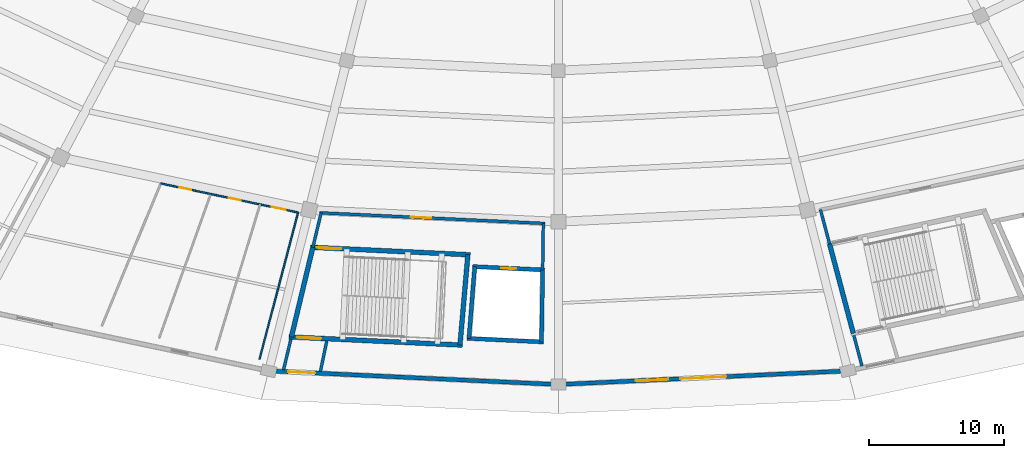
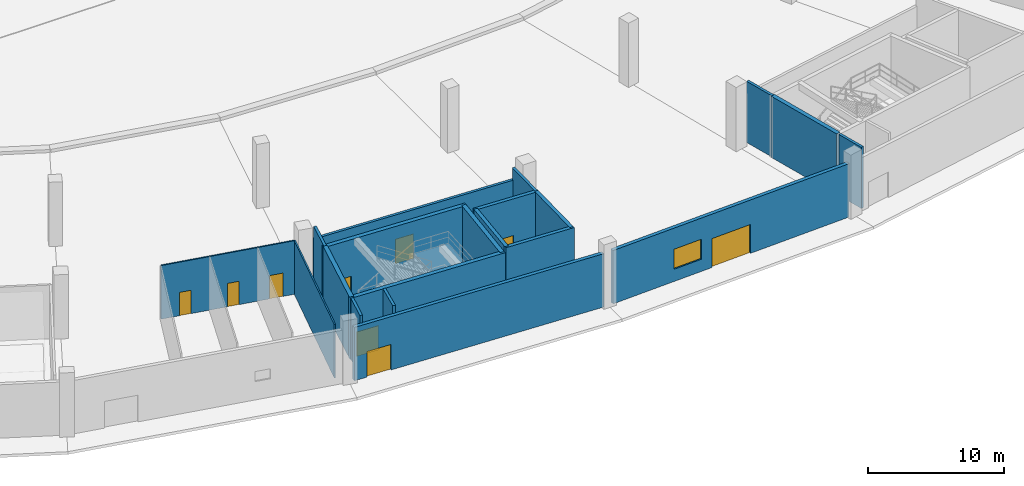
# One storey, part 11 of 48: 20 walls, 9 doors, 1 window, 10 openings.
"""IFC4 building model written with IfcOpenShell, lengths in metres."""

from ifc_helpers import new_model, si_unit, direction, frame, frame_2d, origin, place, context, subcontext, project, spatial, rectangle, extrude, material, layer, layer_set, type_object, element, fill, save


model = new_model("IFC4")

# Units and contexts
model_context = context("Model", 3, precision=1e-05, world=origin(), true_north=direction((0.0, 1.0)))
body_context = subcontext(model_context, "Body", "Model", "MODEL_VIEW")
ifc_project = project(units=[si_unit("LENGTHUNIT", "METRE"), si_unit("AREAUNIT", "SQUARE_METRE"), si_unit("VOLUMEUNIT", "CUBIC_METRE"), si_unit("PLANEANGLEUNIT", "RADIAN"), si_unit("MASSUNIT", "GRAM", prefix="KILO")], contexts=[model_context])

# Site, building, storey
site_placement = place(None, origin())
site = spatial("IfcSite", under=ifc_project, at=site_placement, CompositionType="ELEMENT")
building_placement = place(site_placement, origin())
building = spatial("IfcBuilding", under=site, at=building_placement, Name="Kazemori Nagisa Stadium", CompositionType="ELEMENT")
storey_placement = place(building_placement, origin())
storey = spatial("IfcBuildingStorey", under=building, at=storey_placement, Name="L00", CompositionType="ELEMENT", Elevation=0.0)

# Wall, opening, door
ifc_material_1 = material(Name="Concrete C40/50 (Fc42)", Category="concrete")
ifc_layer_1 = layer(ifc_material_1, 0.35009765625, Name="Concrete C40/50 (Fc42)", Category="concrete")
ifc_layer_set_1 = layer_set([ifc_layer_1], Name="Concrete C40/50 (Fc42)")
wall_type_1 = type_object("IfcWallType", Name="Wall_W-CORE-350", PredefinedType="SHEAR", material=ifc_layer_set_1)
wall_1_placement = place(storey_placement, frame((104.66748046875, 26.15478515625, 0.0), z_axis=(0.0, 0.0, 1.0), x_axis=(0.998883770468, -0.04723571843, 0.0)))
wall_1 = element("IfcWall", 1, at=wall_1_placement, inside=storey, type_object=wall_type_1, Name="Core stair front shear wall ST12 L00", PredefinedType="SHEAR", context=body_context, shape_type="SweptSolid", body=[
    extrude(rectangle(XDim=11.830810546875, YDim=0.35009765625, at=frame_2d((5.91552734375, 0.0))), origin(), (0.0, 0.0, 1.0), 5.5),
])
opening_1_placement = place(wall_1_placement, frame((0.47509765625, 0.0, 0.0)))
opening_1 = element("IfcOpeningElement", 2, at=opening_1_placement, cuts=wall_1, Name="Opening D-ST-1800", PredefinedType="OPENING", context=body_context, shape_type="SweptSolid", body=[
    extrude(rectangle(XDim=1.800048828125, YDim=2.199951171875, at=frame_2d((0.89990234375, 1.10009765625))), frame((0.0, 0.18505859375, 0.0), z_axis=(0.0, -1.0, 0.0), x_axis=(1.0, 0.0, 0.0)), (0.0, 0.0, 1.0), 0.3701171875),
])
ifc_material_2 = material(Name="Galvanised steel sheet", Category="steel")
door_type_1 = type_object("IfcDoorType", Name="Door_D-ST-1800", OperationType="NOTDEFINED", PredefinedType="DOOR", material=ifc_material_2)
door_1_placement = place(opening_1_placement, origin())
door_1 = element("IfcDoor", 3, at=door_1_placement, inside=storey, type_object=door_type_1, Name="Exit stair fire door ST12-L00", OperationType="SINGLE_SWING_LEFT", OverallHeight=2.199951171875, OverallWidth=1.800048828125, PredefinedType="DOOR", context=body_context, shape_type="SweptSolid", body=[
    extrude(rectangle(XDim=1.800048828125, YDim=2.199951171875, at=frame_2d((0.89990234375, 1.10009765625))), frame((0.0, 0.02490234375, 0.0), z_axis=(0.0, -1.0, 0.0), x_axis=(1.0, 0.0, 0.0)), (0.0, 0.0, 1.0), 0.050048828125),
])
fill(opening_1, door_1)

wall_2_placement = place(storey_placement, frame((103.07958984375, 19.52197265625, 0.0), z_axis=(0.0, 0.0, 1.0), x_axis=(0.998884004857, -0.047230761603, 0.0)))
wall_2 = element("IfcWall", 4, at=wall_2_placement, inside=storey, type_object=wall_type_1, Name="Core stair rear shear wall ST12 L00", PredefinedType="SHEAR", context=body_context, shape_type="SweptSolid", body=[
    extrude(rectangle(XDim=12.8349609375, YDim=0.35009765625, at=frame_2d((6.41748046875, 0.0))), origin(), (0.0, 0.0, 1.0), 5.5),
])
opening_2_placement = place(wall_2_placement, frame((0.60107421875, 0.0, 0.0)))
opening_2 = element("IfcOpeningElement", 5, at=opening_2_placement, cuts=wall_2, Name="Opening D-ST-1800", PredefinedType="OPENING", context=body_context, shape_type="SweptSolid", body=[
    extrude(rectangle(XDim=1.800048828125, YDim=2.199951171875, at=frame_2d((0.89990234375, 1.10009765625))), frame((0.0, 0.18505859375, 0.0), z_axis=(0.0, -1.0, 0.0), x_axis=(1.0, 0.0, 0.0)), (0.0, 0.0, 1.0), 0.3701171875),
])
door_2_placement = place(opening_2_placement, frame((1.800048828125, 0.0, 0.0), z_axis=(0.0, 0.0, 1.0), x_axis=(-1.0, 0.0, 0.0)))
door_2 = element("IfcDoor", 6, at=door_2_placement, inside=storey, type_object=door_type_1, Name="Exit stair discharge door ST12-L00", OperationType="DOUBLE_DOOR_SINGLE_SWING", OverallHeight=2.199951171875, OverallWidth=1.800048828125, PredefinedType="DOOR", context=body_context, shape_type="SweptSolid", body=[
    extrude(rectangle(XDim=1.800048828125, YDim=2.199951171875, at=frame_2d((0.89990234375, 1.10009765625))), frame((0.0, 0.02490234375, 0.0), z_axis=(0.0, -1.0, 0.0), x_axis=(1.0, 0.0, 0.0)), (0.0, 0.0, 1.0), 0.050048828125),
])
fill(opening_2, door_2)

# Walls
wall_3_placement = place(storey_placement, frame((104.84228515625, 26.146484375, 0.0), z_axis=(0.0, 0.0, 1.0), x_axis=(-0.232820532896, -0.972519716747, 0.0)))
element("IfcWall", 7, at=wall_3_placement, inside=storey, type_object=wall_type_1, Name="Core stair left shear wall ST12 L00", PredefinedType="SHEAR", context=body_context, shape_type="SweptSolid", body=[
    extrude(rectangle(XDim=6.8203125, YDim=0.35009765625, at=frame_2d((3.41015625, 0.0))), origin(), (0.0, 0.0, 1.0), 5.5),
])
wall_4_placement = place(storey_placement, frame((116.310302734375, 25.604248046875, 0.0), z_axis=(0.0, 0.0, 1.0), x_axis=(-0.087232889326, -0.996187945631, 0.0)))
element("IfcWall", 8, at=wall_4_placement, inside=storey, type_object=wall_type_1, Name="Core stair right shear wall ST12 L00", PredefinedType="SHEAR", context=body_context, shape_type="SweptSolid", body=[
    extrude(rectangle(XDim=6.705810546875, YDim=0.35009765625, at=frame_2d((3.35302734375, 0.0))), origin(), (0.0, 0.0, 1.0), 5.5),
])
wall_5_placement = place(storey_placement, frame((143.06689453125, 26.3935546875, 0.0), z_axis=(0.0, 0.0, 1.0), x_axis=(0.256518400663, -0.966539347425, 0.0)))
element("IfcWall", 9, at=wall_5_placement, inside=storey, type_object=wall_type_1, Name="Core stair left shear wall ST06 L00", PredefinedType="SHEAR", context=body_context, shape_type="SweptSolid", body=[
    extrude(rectangle(XDim=6.840087890625, YDim=0.35009765625, at=frame_2d((3.419921875, 0.0))), origin(), (0.0, 0.0, 1.0), 5.5),
])

# Wall, opening, door
ifc_material_3 = material(Name="Concrete C40/50 (Fc42) precast", Category="concrete")
ifc_layer_2 = layer(ifc_material_3, 0.300048828125, Name="Concrete C40/50 (Fc42) precast", Category="concrete")
ifc_layer_set_2 = layer_set([ifc_layer_2], Name="Concrete C40/50 (Fc42) precast")
wall_type_2 = type_object("IfcWallType", Name="Wall_W-EXT-300", PredefinedType="SOLIDWALL", material=ifc_layer_set_2)
wall_6_placement = place(storey_placement, frame((101.9619140625, 16.99462890625, 0.0), z_axis=(0.0, 0.0, 1.0), x_axis=(0.998884033728, -0.047230150999, 0.0)))
wall_6 = element("IfcWall", 10, at=wall_6_placement, inside=storey, type_object=wall_type_2, Name="Core exterior wall L00-21", PredefinedType="SOLIDWALL", context=body_context, shape_type="SweptSolid", body=[
    extrude(rectangle(XDim=20.67138671875, YDim=0.300048828125, at=frame_2d((10.335693359375, 0.0))), origin(), (0.0, 0.0, 1.0), 4.800048828125),
])
opening_3_placement = place(wall_6_placement, frame((1.050048828125, 0.0, 0.0)))
opening_3 = element("IfcOpeningElement", 11, at=opening_3_placement, cuts=wall_6, Name="Opening D-SD-2000", PredefinedType="OPENING", context=body_context, shape_type="SweptSolid", body=[
    extrude(rectangle(XDim=2.0, YDim=2.300048828125, at=frame_2d((1.0, 1.14990234375))), frame((0.0, 0.159912109375, 0.0), z_axis=(0.0, -1.0, 0.0), x_axis=(1.0, 0.0, 0.0)), (0.0, 0.0, 1.0), 0.320068359375),
])
door_type_2 = type_object("IfcDoorType", Name="Door_D-SD-2000", OperationType="NOTDEFINED", PredefinedType="DOOR", material=ifc_material_2)
door_3_placement = place(opening_3_placement, frame((2.0, 0.0, 0.0), z_axis=(0.0, 0.0, 1.0), x_axis=(-1.0, 0.0, 0.0)))
door_3 = element("IfcDoor", 12, at=door_3_placement, inside=storey, type_object=door_type_2, Name="Pedestrian stair exit SD12", OperationType="DOUBLE_DOOR_SINGLE_SWING", OverallHeight=2.300048828125, OverallWidth=2.0, PredefinedType="DOOR", context=body_context, shape_type="SweptSolid", body=[
    extrude(rectangle(XDim=2.0, YDim=2.300048828125, at=frame_2d((1.0, 1.14990234375))), frame((0.0, 0.02490234375, 0.0), z_axis=(0.0, -1.0, 0.0), x_axis=(1.0, 0.0, 0.0)), (0.0, 0.0, 1.0), 0.050048828125),
])
fill(opening_3, door_3)

# Wall, openings, door, window
wall_7_placement = place(storey_placement, frame((123.3896484375, 16.018310546875, 0.0), z_axis=(0.0, 0.0, 1.0), x_axis=(0.998884033728, 0.047230150999, 0.0)))
wall_7 = element("IfcWall", 13, at=wall_7_placement, inside=storey, type_object=wall_type_2, Name="Ground exterior entrance wall L00-22", PredefinedType="SOLIDWALL", context=body_context, shape_type="SweptSolid", body=[
    extrude(rectangle(XDim=20.67138671875, YDim=0.300048828125, at=frame_2d((10.335693359375, 0.0))), origin(), (0.0, 0.0, 1.0), 4.800048828125),
])
opening_4_placement = place(wall_7_placement, frame((8.635986328125, 0.0, 0.0)))
opening_4 = element("IfcOpeningElement", 14, at=opening_4_placement, cuts=wall_7, Name="Opening D-ENT-3400", PredefinedType="OPENING", context=body_context, shape_type="SweptSolid", body=[
    extrude(rectangle(XDim=3.39990234375, YDim=2.60009765625, at=frame_2d((1.699951171875, 1.300048828125))), frame((0.0, 0.159912109375, 0.0), z_axis=(0.0, -1.0, 0.0), x_axis=(1.0, 0.0, 0.0)), (0.0, 0.0, 1.0), 0.320068359375),
])
opening_5_placement = place(wall_7_placement, frame((5.3359375, 0.0, 1.10009765625)))
opening_5 = element("IfcOpeningElement", 15, at=opening_5_placement, cuts=wall_7, Name="Opening WIN-L00-2400", PredefinedType="OPENING", context=body_context, shape_type="SweptSolid", body=[
    extrude(rectangle(XDim=2.39990234375, YDim=1.800048828125, at=frame_2d((1.199951171875, 0.89990234375))), frame((0.0, 0.159912109375, 0.0), z_axis=(0.0, -1.0, 0.0), x_axis=(1.0, 0.0, 0.0)), (0.0, 0.0, 1.0), 0.320068359375),
])
ifc_material_4 = material(Name="Anodised aluminium 6063-T5", Category="aluminium")
door_type_3 = type_object("IfcDoorType", Name="Door_D-ENT-3400", OperationType="NOTDEFINED", PredefinedType="DOOR", material=ifc_material_4)
door_4_placement = place(opening_4_placement, frame((3.39990234375, 0.0, 0.0), z_axis=(0.0, 0.0, 1.0), x_axis=(-1.0, 0.0, 0.0)))
door_4 = element("IfcDoor", 16, at=door_4_placement, inside=storey, type_object=door_type_3, Name="Main entrance E6", OperationType="DOUBLE_DOOR_SINGLE_SWING", OverallHeight=2.60009765625, OverallWidth=3.39990234375, PredefinedType="DOOR", context=body_context, shape_type="SweptSolid", body=[
    extrude(rectangle(XDim=3.39990234375, YDim=2.60009765625, at=frame_2d((1.699951171875, 1.300048828125))), frame((0.0, 0.02490234375, 0.0), z_axis=(0.0, -1.0, 0.0), x_axis=(1.0, 0.0, 0.0)), (0.0, 0.0, 1.0), 0.050048828125),
])
fill(opening_4, door_4)
ifc_material_5 = material(Name="Low-e laminated double glazing", Category="glass")
window_type = type_object("IfcWindowType", Name="Window_WIN-L00-2400", PartitioningType="SINGLE_PANEL", PredefinedType="WINDOW", material=ifc_material_5)
window_placement = place(opening_5_placement, origin())
window = element("IfcWindow", 17, at=window_placement, inside=storey, type_object=window_type, Name="Entrance foyer window L00-22", OverallHeight=1.800048828125, OverallWidth=2.39990234375, PartitioningType="SINGLE_PANEL", PredefinedType="WINDOW", context=body_context, shape_type="SweptSolid", body=[
    extrude(rectangle(XDim=2.39990234375, YDim=1.800048828125, at=frame_2d((1.199951171875, 0.89990234375))), frame((0.0, 0.030029296875, 0.0), z_axis=(0.0, -1.0, 0.0), x_axis=(1.0, 0.0, 0.0)), (0.0, 0.0, 1.0), 0.06005859375),
])
fill(opening_5, window)

# Walls
ifc_material_6 = material(Name="Concrete C36/45 (Fc36)", Category="concrete")
ifc_layer_3 = layer(ifc_material_6, 0.219970703125, Name="Concrete C36/45 (Fc36)", Category="concrete")
ifc_layer_set_3 = layer_set([ifc_layer_3], Name="Concrete C36/45 (Fc36)")
wall_type_3 = type_object("IfcWallType", Name="Wall_W-LOBBY-220", PredefinedType="SOLIDWALL", material=ifc_layer_set_3)
wall_8_placement = place(storey_placement, frame((103.21826171875, 19.36279296875, 0.0), z_axis=(0.0, 0.0, 1.0), x_axis=(-0.232744981483, -0.972537800599, 0.0)))
element("IfcWall", 18, at=wall_8_placement, inside=storey, type_object=wall_type_3, Name="Exit passage left fire wall ST12 L00", PredefinedType="SOLIDWALL", context=body_context, shape_type="SweptSolid", body=[
    extrude(rectangle(XDim=2.338134765625, YDim=0.219970703125, at=frame_2d((1.1689453125, 0.0))), origin(), (0.0, 0.0, 1.0), 5.5),
])
wall_9_placement = place(storey_placement, frame((105.872802734375, 19.236572265625, 0.0), z_axis=(0.0, 0.0, 1.0), x_axis=(-0.202636866681, -0.979253950853, 0.0)))
element("IfcWall", 19, at=wall_9_placement, inside=storey, type_object=wall_type_3, Name="Exit passage right fire wall ST12 L00", PredefinedType="SOLIDWALL", context=body_context, shape_type="SweptSolid", body=[
    extrude(rectangle(XDim=2.323974609375, YDim=0.219970703125, at=frame_2d((1.162109375, 0.0))), origin(), (0.0, 0.0, 1.0), 5.5),
])

# Wall, opening, door
wall_10_placement = place(storey_placement, frame((105.343017578125, 28.702880859375, 0.0), z_axis=(0.0, 0.0, 1.0), x_axis=(0.998884242682, -0.047225731555, 0.0)))
wall_10 = element("IfcWall", 20, at=wall_10_placement, inside=storey, type_object=wall_type_3, Name="Core lobby fire wall ST12 L00", PredefinedType="SOLIDWALL", context=body_context, shape_type="SweptSolid", body=[
    extrude(rectangle(XDim=16.67724609375, YDim=0.219970703125, at=frame_2d((8.338623046875, 0.0))), origin(), (0.0, 0.0, 1.0), 4.447998046875),
])
opening_6_placement = place(wall_10_placement, frame((6.76611328125, 0.0, 0.0)))
opening_6 = element("IfcOpeningElement", 21, at=opening_6_placement, cuts=wall_10, Name="Opening D-FFL-1500", PredefinedType="OPENING", context=body_context, shape_type="SweptSolid", body=[
    extrude(rectangle(XDim=1.5, YDim=2.199951171875, at=frame_2d((0.75, 1.10009765625))), frame((0.0, 0.119873046875, 0.0), z_axis=(0.0, -1.0, 0.0), x_axis=(1.0, 0.0, 0.0)), (0.0, 0.0, 1.0), 0.239990234375),
])
door_type_4 = type_object("IfcDoorType", Name="Door_D-FFL-1500", OperationType="NOTDEFINED", PredefinedType="DOOR", material=ifc_material_2)
door_5_placement = place(opening_6_placement, origin())
door_5 = element("IfcDoor", 22, at=door_5_placement, inside=storey, type_object=door_type_4, Name="Protected lobby fire door ST12-L00", OperationType="DOUBLE_DOOR_SINGLE_SWING", OverallHeight=2.199951171875, OverallWidth=1.5, PredefinedType="DOOR", context=body_context, shape_type="SweptSolid", body=[
    extrude(rectangle(XDim=1.5, YDim=2.199951171875, at=frame_2d((0.75, 1.10009765625))), frame((0.0, 0.02490234375, 0.0), z_axis=(0.0, -1.0, 0.0), x_axis=(1.0, 0.0, 0.0)), (0.0, 0.0, 1.0), 0.050048828125),
])
fill(opening_6, door_5)

# Walls
wall_11_placement = place(storey_placement, frame((105.452880859375, 28.69775390625, 0.0), z_axis=(0.0, 0.0, 1.0), x_axis=(-0.232756927197, -0.972534941707, 0.0)))
element("IfcWall", 23, at=wall_11_placement, inside=storey, type_object=wall_type_3, Name="Core lobby left wall ST12 L00", PredefinedType="SOLIDWALL", context=body_context, shape_type="SweptSolid", body=[
    extrude(rectangle(XDim=2.623291015625, YDim=0.219970703125, at=frame_2d((1.3115234375, 0.0))), origin(), (0.0, 0.0, 1.0), 5.5),
])
wall_12_placement = place(storey_placement, frame((121.891845703125, 27.92041015625, 0.0), z_axis=(0.0, 0.0, 1.0), x_axis=(-0.014984113027, -0.999887731876, 0.0)))
element("IfcWall", 24, at=wall_12_placement, inside=storey, type_object=wall_type_3, Name="Core lobby right wall ST12 L00", PredefinedType="SOLIDWALL", context=body_context, shape_type="SweptSolid", body=[
    extrude(rectangle(XDim=3.43798828125, YDim=0.219970703125, at=frame_2d((1.718994140625, 0.0))), origin(), (0.0, 0.0, 1.0), 5.5),
])
wall_13_placement = place(storey_placement, frame((144.861328125, 19.63232421875, 0.0), z_axis=(0.0, 0.0, 1.0), x_axis=(0.256541848889, -0.966533123989, 0.0)))
element("IfcWall", 25, at=wall_13_placement, inside=storey, type_object=wall_type_3, Name="Exit passage left fire wall ST06 L00", PredefinedType="SOLIDWALL", context=body_context, shape_type="SweptSolid", body=[
    extrude(rectangle(XDim=2.345947265625, YDim=0.219970703125, at=frame_2d((1.1728515625, 0.0))), origin(), (0.0, 0.0, 1.0), 5.5),
])
wall_14_placement = place(storey_placement, frame((142.39208984375, 28.936279296875, 0.0), z_axis=(0.0, 0.0, 1.0), x_axis=(0.256507243456, -0.966542308466, 0.0)))
element("IfcWall", 26, at=wall_14_placement, inside=storey, type_object=wall_type_3, Name="Core lobby left wall ST06 L00", PredefinedType="SOLIDWALL", context=body_context, shape_type="SweptSolid", body=[
    extrude(rectangle(XDim=2.630859375, YDim=0.219970703125, at=frame_2d((1.3154296875, 0.0))), origin(), (0.0, 0.0, 1.0), 5.5),
])

# Wall, openings, doors
ifc_material_7 = material(Name="Moisture-resistant gypsum board", Category="gypsum")
ifc_layer_4 = layer(ifc_material_7, 0.114990234375, Name="Moisture-resistant gypsum board", Category="gypsum")
ifc_layer_set_4 = layer_set([ifc_layer_4], Name="Moisture-resistant gypsum board")
wall_type_4 = type_object("IfcWallType", Name="Wall_W-PART-115", PredefinedType="PARTITIONING", material=ifc_layer_set_4)
wall_15_placement = place(storey_placement, frame((93.58935546875, 30.876708984375, 0.0), z_axis=(0.0, 0.0, 1.0), x_axis=(0.978349245343, -0.206960755065, 0.0)))
wall_15 = element("IfcWall", 27, at=wall_15_placement, inside=storey, type_object=wall_type_4, Name="Sanitary block corridor partition L00-B20", PredefinedType="PARTITIONING", context=body_context, shape_type="SweptSolid", body=[
    extrude(rectangle(XDim=10.38330078125, YDim=0.114990234375, at=frame_2d((5.191650390625, 0.0))), origin(), (0.0, 0.0, 1.0), 4.820068359375),
])
opening_7_placement = place(wall_15_placement, frame((1.4189453125, 0.0, 0.0)))
opening_7 = element("IfcOpeningElement", 28, at=opening_7_placement, cuts=wall_15, Name="Opening D-WC-900", PredefinedType="OPENING", context=body_context, shape_type="SweptSolid", body=[
    extrude(rectangle(XDim=0.89990234375, YDim=2.10009765625, at=frame_2d((0.449951171875, 1.050048828125))), frame((0.0, 0.0673828125, 0.0), z_axis=(0.0, -1.0, 0.0), x_axis=(1.0, 0.0, 0.0)), (0.0, 0.0, 1.0), 0.135009765625),
])
opening_8_placement = place(wall_15_placement, frame((5.156982421875, 0.0, 0.0)))
opening_8 = element("IfcOpeningElement", 29, at=opening_8_placement, cuts=wall_15, Name="Opening D-WC-900", PredefinedType="OPENING", context=body_context, shape_type="SweptSolid", body=[
    extrude(rectangle(XDim=0.89990234375, YDim=2.10009765625, at=frame_2d((0.449951171875, 1.050048828125))), frame((0.0, 0.0673828125, 0.0), z_axis=(0.0, -1.0, 0.0), x_axis=(1.0, 0.0, 0.0)), (0.0, 0.0, 1.0), 0.135009765625),
])
opening_9_placement = place(wall_15_placement, frame((8.405029296875, 0.0, 0.0)))
opening_9 = element("IfcOpeningElement", 30, at=opening_9_placement, cuts=wall_15, Name="Opening D-AWC-1050", PredefinedType="OPENING", context=body_context, shape_type="SweptSolid", body=[
    extrude(rectangle(XDim=1.050048828125, YDim=2.10009765625, at=frame_2d((0.52490234375, 1.050048828125))), frame((0.0, 0.0673828125, 0.0), z_axis=(0.0, -1.0, 0.0), x_axis=(1.0, 0.0, 0.0)), (0.0, 0.0, 1.0), 0.135009765625),
])
ifc_material_8 = material(Name="High-pressure laminate on timber core", Category="wood")
door_type_5 = type_object("IfcDoorType", Name="Door_D-AWC-1050", OperationType="NOTDEFINED", PredefinedType="DOOR", material=ifc_material_8)
door_6_placement = place(opening_9_placement, origin())
door_6 = element("IfcDoor", 31, at=door_6_placement, inside=storey, type_object=door_type_5, Name="AWC entrance door L00-B20", OperationType="SINGLE_SWING_RIGHT", OverallHeight=2.10009765625, OverallWidth=1.050048828125, PredefinedType="DOOR", context=body_context, shape_type="SweptSolid", body=[
    extrude(rectangle(XDim=1.050048828125, YDim=2.10009765625, at=frame_2d((0.52490234375, 1.050048828125))), frame((0.0, 0.02490234375, 0.0), z_axis=(0.0, -1.0, 0.0), x_axis=(1.0, 0.0, 0.0)), (0.0, 0.0, 1.0), 0.050048828125),
])
fill(opening_9, door_6)
door_type_6 = type_object("IfcDoorType", Name="Door_D-WC-900", OperationType="NOTDEFINED", PredefinedType="DOOR", material=ifc_material_8)
door_7_placement = place(opening_7_placement, origin())
door_7 = element("IfcDoor", 32, at=door_7_placement, inside=storey, type_object=door_type_6, Name="MWC entrance door L00-B20", OperationType="SINGLE_SWING_RIGHT", OverallHeight=2.10009765625, OverallWidth=0.89990234375, PredefinedType="DOOR", context=body_context, shape_type="SweptSolid", body=[
    extrude(rectangle(XDim=0.89990234375, YDim=2.10009765625, at=frame_2d((0.449951171875, 1.050048828125))), frame((0.0, 0.02490234375, 0.0), z_axis=(0.0, -1.0, 0.0), x_axis=(1.0, 0.0, 0.0)), (0.0, 0.0, 1.0), 0.050048828125),
])
fill(opening_7, door_7)
door_8_placement = place(opening_8_placement, origin())
door_8 = element("IfcDoor", 33, at=door_8_placement, inside=storey, type_object=door_type_6, Name="FWC entrance door L00-B20", OperationType="SINGLE_SWING_LEFT", OverallHeight=2.10009765625, OverallWidth=0.89990234375, PredefinedType="DOOR", context=body_context, shape_type="SweptSolid", body=[
    extrude(rectangle(XDim=0.89990234375, YDim=2.10009765625, at=frame_2d((0.449951171875, 1.050048828125))), frame((0.0, 0.02490234375, 0.0), z_axis=(0.0, -1.0, 0.0), x_axis=(1.0, 0.0, 0.0)), (0.0, 0.0, 1.0), 0.050048828125),
])
fill(opening_8, door_8)

# Wall
wall_16_placement = place(storey_placement, frame((103.747802734375, 28.727783203125, 0.0), z_axis=(0.0, 0.0, 1.0), x_axis=(-0.254131382846, -0.967169706025, 0.0)))
element("IfcWall", 34, at=wall_16_placement, inside=storey, type_object=wall_type_4, Name="Sanitary block R partition L00-B20", PredefinedType="PARTITIONING", context=body_context, shape_type="SweptSolid", body=[
    extrude(rectangle(XDim=11.2236328125, YDim=0.114990234375, at=frame_2d((5.61181640625, 0.0))), origin(), (0.0, 0.0, 1.0), 4.820068359375),
])

# Wall, opening, door
ifc_layer_5 = layer(ifc_material_1, 0.300048828125, Name="Concrete C40/50 (Fc42)", Category="concrete")
ifc_layer_set_5 = layer_set([ifc_layer_5], Name="Concrete C40/50 (Fc42)")
wall_type_5 = type_object("IfcWallType", Name="Wall_W-SHAFT-300", PredefinedType="SHEAR", material=ifc_layer_set_5)
wall_17_placement = place(storey_placement, frame((116.665283203125, 24.7275390625, 0.0), z_axis=(0.0, 0.0, 1.0), x_axis=(0.998882494219, -0.047262699282, 0.0)))
wall_17 = element("IfcWall", 35, at=wall_17_placement, inside=storey, type_object=wall_type_5, Name="Lift shaft front wall LP4 L00", PredefinedType="SHEAR", context=body_context, shape_type="SweptSolid", body=[
    extrude(rectangle(XDim=5.330810546875, YDim=0.300048828125, at=frame_2d((2.66552734375, 0.0))), origin(), (0.0, 0.0, 1.0), 5.5),
])
opening_10_placement = place(wall_17_placement, frame((2.114990234375, 0.0, 0.0)))
opening_10 = element("IfcOpeningElement", 36, at=opening_10_placement, cuts=wall_17, Name="Opening LD-PAX", PredefinedType="OPENING", context=body_context, shape_type="SweptSolid", body=[
    extrude(rectangle(XDim=1.10009765625, YDim=2.199951171875, at=frame_2d((0.550048828125, 1.10009765625))), frame((0.0, 0.159912109375, 0.0), z_axis=(0.0, -1.0, 0.0), x_axis=(1.0, 0.0, 0.0)), (0.0, 0.0, 1.0), 0.320068359375),
])
ifc_material_9 = material(Name="Stainless steel SUS304", Category="steel")
door_type_7 = type_object("IfcDoorType", Name="Door_LD-PAX", OperationType="SLIDING_TO_RIGHT", PredefinedType="DOOR", material=ifc_material_9)
door_9_placement = place(opening_10_placement, origin())
door_9 = element("IfcDoor", 37, at=door_9_placement, inside=storey, type_object=door_type_7, Name="Lift landing door LP4-L00", OperationType="SLIDING_TO_RIGHT", OverallHeight=2.199951171875, OverallWidth=1.10009765625, PredefinedType="DOOR", context=body_context, shape_type="SweptSolid", body=[
    extrude(rectangle(XDim=1.10009765625, YDim=2.199951171875, at=frame_2d((0.550048828125, 1.10009765625))), frame((0.0, 0.02490234375, 0.0), z_axis=(0.0, -1.0, 0.0), x_axis=(1.0, 0.0, 0.0)), (0.0, 0.0, 1.0), 0.050048828125),
])
fill(opening_10, door_9)

# Walls
wall_18_placement = place(storey_placement, frame((116.240234375, 19.41552734375, 0.0), z_axis=(0.0, 0.0, 1.0), x_axis=(0.998884329444, -0.047223896393, 0.0)))
element("IfcWall", 38, at=wall_18_placement, inside=storey, type_object=wall_type_5, Name="Lift shaft B wall LP4 L00", PredefinedType="SHEAR", context=body_context, shape_type="SweptSolid", body=[
    extrude(rectangle(XDim=5.676513671875, YDim=0.300048828125, at=frame_2d((2.83837890625, 0.0))), origin(), (0.0, 0.0, 1.0), 5.5),
])
wall_19_placement = place(storey_placement, frame((116.815185546875, 24.720458984375, 0.0), z_axis=(0.0, 0.0, 1.0), x_axis=(-0.079807132276, -0.996810323802, 0.0)))
element("IfcWall", 39, at=wall_19_placement, inside=storey, type_object=wall_type_5, Name="Lift shaft L wall LP4 L00", PredefinedType="SHEAR", context=body_context, shape_type="SweptSolid", body=[
    extrude(rectangle(XDim=5.3291015625, YDim=0.300048828125, at=frame_2d((2.66455078125, 0.0))), origin(), (0.0, 0.0, 1.0), 5.5),
])
wall_20_placement = place(storey_placement, frame((121.84033203125, 24.48291015625, 0.0), z_axis=(0.0, 0.0, 1.0), x_axis=(-0.014935332807, -0.999888461697, 0.0)))
element("IfcWall", 40, at=wall_20_placement, inside=storey, type_object=wall_type_5, Name="Lift shaft R wall LP4 L00", PredefinedType="SHEAR", context=body_context, shape_type="SweptSolid", body=[
    extrude(rectangle(XDim=5.328857421875, YDim=0.300048828125, at=frame_2d((2.66455078125, 0.0))), origin(), (0.0, 0.0, 1.0), 5.5),
])

save(model, "model.ifc")
